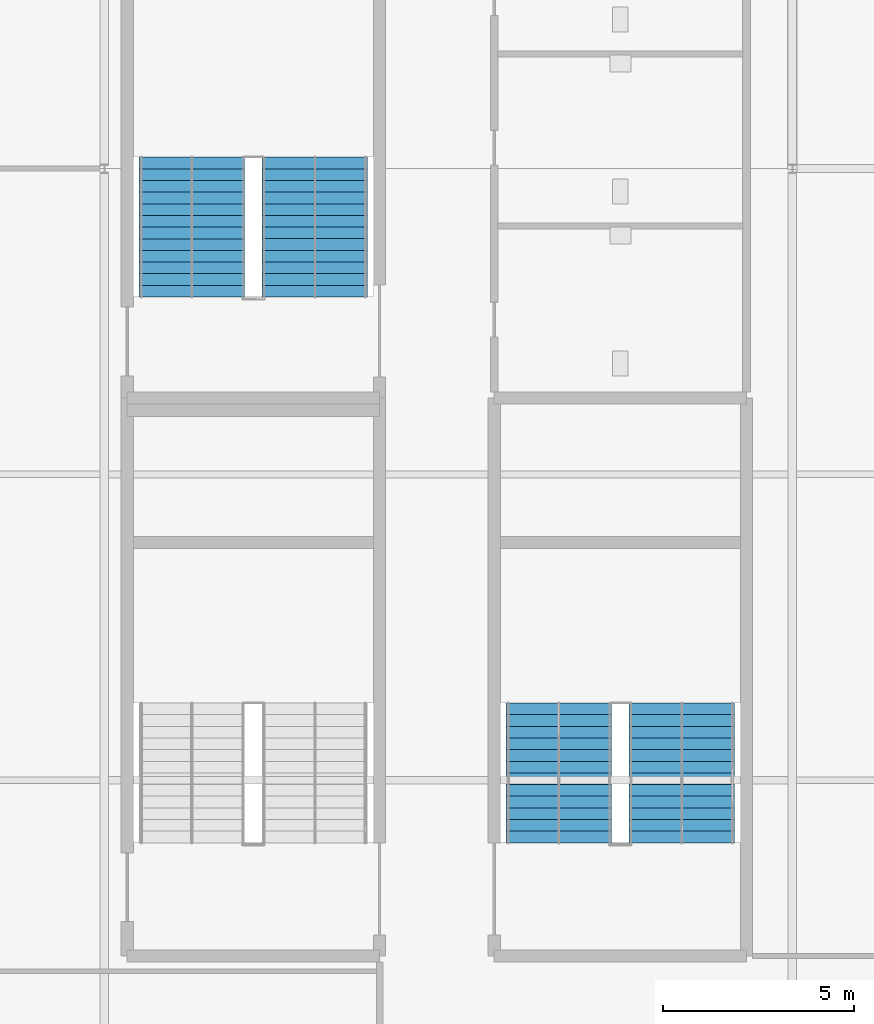
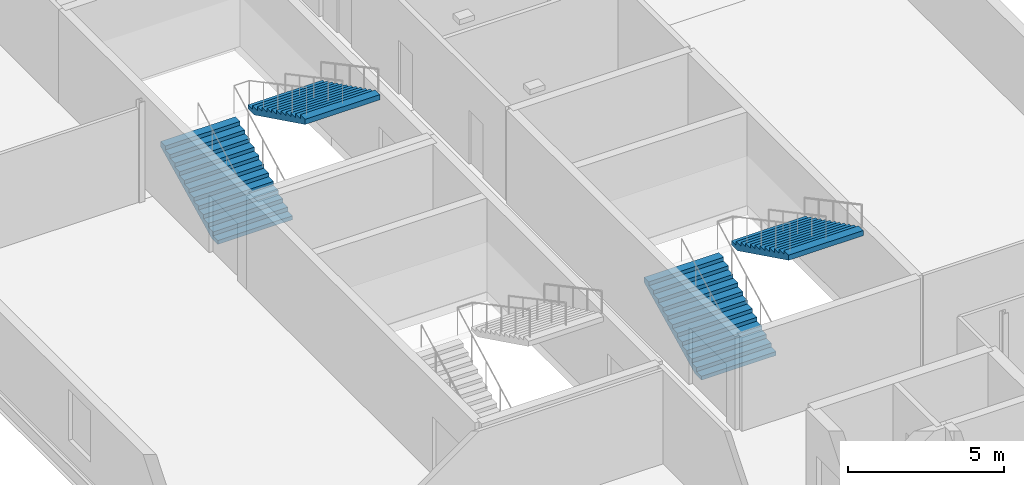
# One storey, part 29 of 35: 4 stair flights, 2 elements without a shape of their own.
"""IFC4 building model written with IfcOpenShell, lengths in metres."""

from ifc_helpers import new_model, si_unit, direction, frame, origin, place, context, subcontext, project, spatial, polygons, material, type_object, element, aggregate, save


model = new_model("IFC4")

# Units and contexts
model_context = context("Model", 3, precision=1e-05, world=origin(), true_north=direction((0.0, 1.0)))
body_context = subcontext(model_context, "Body", "Model", "MODEL_VIEW")
ifc_project = project(units=[si_unit("LENGTHUNIT", "METRE"), si_unit("AREAUNIT", "SQUARE_METRE"), si_unit("VOLUMEUNIT", "CUBIC_METRE"), si_unit("PLANEANGLEUNIT", "RADIAN"), si_unit("MASSUNIT", "GRAM", prefix="KILO")], contexts=[model_context])

# Site, building, storey
site_placement = place(None, origin())
site = spatial("IfcSite", under=ifc_project, at=site_placement, CompositionType="ELEMENT")
building_placement = place(site_placement, origin())
building = spatial("IfcBuilding", under=site, at=building_placement, Name="Kisiwana Market Hall", CompositionType="ELEMENT")
storey_placement = place(building_placement, frame((0.0, 0.0, 57.89990234375)))
storey = spatial("IfcBuildingStorey", under=building, at=storey_placement, Name="L13", CompositionType="ELEMENT", Elevation=57.89990234375)

# Stair, stair flights
ifc_material_1 = material(Name="Concrete C32/40", Category="concrete")
stair_type = type_object("IfcStairType", Name="ST-ESC-3900", PredefinedType="TWO_STRAIGHT_RUN_STAIR", material=ifc_material_1)
stair_1_placement = place(storey_placement, origin())
stair_1 = element("IfcStair", 1, at=stair_1_placement, inside=storey, type_object=stair_type, Name="Escape stair ST-E3-L13", PredefinedType="TWO_STRAIGHT_RUN_STAIR")
ifc_material_2 = material(Name="Concrete C32/40", Category="concrete")
stair_flight_type = type_object("IfcStairFlightType", Name="SF-ESC-3900", PredefinedType="STRAIGHT", material=ifc_material_2)
stair_flight_1_placement = place(storey_placement, frame((182.889892578125, 42.360107421875, 0.0), z_axis=(0.0, 0.0, 1.0), x_axis=(0.0, 1.0, 0.0)))
stair_flight_1 = element("IfcStairFlight", 2, at=stair_flight_1_placement, type_object=stair_flight_type, Name="ST-E3-L13 flight 1", NumberOfRisers=13, NumberOfTreads=12, PredefinedType="STRAIGHT", RiserHeight=0.15, TreadLength=0.305, context=body_context, shape_type="Tessellation", body=[
    polygons([(0.0, -1.380127, 0.0), (0.0, -0.690125, 0.0), (0.0, -0.000122, 0.0), (0.0, 0.68988, 0.0), (0.0, 1.379883, 0.0), (0.0, -1.380127, 0.149902), (0.0, -0.690125, 0.149902), (0.0, -0.000122, 0.149902), (0.0, 0.68988, 0.149902), (0.0, 1.379883, 0.149902), (0.304932, -1.380127, 0.149902), (0.304932, -0.690125, 0.149902), (0.304932, -0.000122, 0.149902), (0.304932, 0.68988, 0.149902), (0.304932, 1.379883, 0.149902), (0.304932, -1.380127, 0.300049), (0.304932, -0.690125, 0.300049), (0.304932, -0.000122, 0.300049), (0.304932, 0.68988, 0.300049), (0.304932, 1.379883, 0.300049), (0.610107, -1.380127, 0.300049), (0.610107, -0.690125, 0.300049), (0.610107, -0.000122, 0.300049), (0.610107, 0.68988, 0.300049), (0.610107, 1.379883, 0.300049), (0.610107, -1.380127, 0.449951), (0.610107, -0.690125, 0.449951), (0.610107, -0.000122, 0.449951), (0.610107, 0.68988, 0.449951), (0.610107, 1.379883, 0.449951), (0.915039, -1.380127, 0.449951), (0.915039, -0.690125, 0.449951), (0.915039, -0.000122, 0.449951), (0.915039, 0.68988, 0.449951), (0.915039, 1.379883, 0.449951), (0.915039, -1.380127, 0.600098), (0.915039, -0.690125, 0.600098), (0.915039, -0.000122, 0.600098), (0.915039, 0.68988, 0.600098), (0.915039, 1.379883, 0.600098), (1.219971, -1.380127, 0.600098), (1.219971, -0.690125, 0.600098), (1.219971, -0.000122, 0.600098), (1.219971, 0.68988, 0.600098), (1.219971, 1.379883, 0.600098), (1.219971, -1.380127, 0.75), (1.219971, -0.690125, 0.75), (1.219971, -0.000122, 0.75), (1.219971, 0.68988, 0.75), (1.219971, 1.379883, 0.75), (1.524902, -1.380127, 0.75), (1.524902, -0.690125, 0.75), (1.524902, -0.000122, 0.75), (1.524902, 0.68988, 0.75), (1.524902, 1.379883, 0.75), (1.524902, -1.380127, 0.899902), (1.524902, -0.690125, 0.899902), (1.524902, -0.000122, 0.899902), (1.524902, 0.68988, 0.899902), (1.524902, 1.379883, 0.899902), (1.830078, -1.380127, 0.899902), (1.830078, -0.690125, 0.899902), (1.830078, -0.000122, 0.899902), (1.830078, 0.68988, 0.899902), (1.830078, 1.379883, 0.899902), (1.830078, -1.380127, 1.050049), (1.830078, -0.690125, 1.050049), (1.830078, -0.000122, 1.050049), (1.830078, 0.68988, 1.050049), (1.830078, 1.379883, 1.050049), (2.13501, -1.380127, 1.050049), (2.13501, -0.690125, 1.050049), (2.13501, -0.000122, 1.050049), (2.13501, 0.68988, 1.050049), (2.13501, 1.379883, 1.050049), (2.13501, -1.380127, 1.199951), (2.13501, -0.690125, 1.199951), (2.13501, -0.000122, 1.199951), (2.13501, 0.68988, 1.199951), (2.13501, 1.379883, 1.199951), (2.439941, -1.380127, 1.199951), (2.439941, -0.690125, 1.199951), (2.439941, -0.000122, 1.199951), (2.439941, 0.68988, 1.199951), (2.439941, 1.379883, 1.199951), (2.439941, -1.380127, 1.350098), (2.439941, -0.690125, 1.350098), (2.439941, -0.000122, 1.350098), (2.439941, 0.68988, 1.350098), (2.439941, 1.379883, 1.350098), (2.745117, -1.380127, 1.350098), (2.745117, -0.690125, 1.350098), (2.745117, -0.000122, 1.350098), (2.745117, 0.68988, 1.350098), (2.745117, 1.379883, 1.350098), (2.745117, -1.380127, 1.5), (2.745117, -0.690125, 1.5), (2.745117, -0.000122, 1.5), (2.745117, 0.68988, 1.5), (2.745117, 1.379883, 1.5), (3.050049, -1.380127, 1.5), (3.050049, -0.690125, 1.5), (3.050049, -0.000122, 1.5), (3.050049, 0.68988, 1.5), (3.050049, 1.379883, 1.5), (3.050049, -1.380127, 1.649902), (3.050049, -0.690125, 1.649902), (3.050049, -0.000122, 1.649902), (3.050049, 0.68988, 1.649902), (3.050049, 1.379883, 1.649902), (3.35498, -1.380127, 1.649902), (3.35498, -0.690125, 1.649902), (3.35498, -0.000122, 1.649902), (3.35498, 0.68988, 1.649902), (3.35498, 1.379883, 1.649902), (3.35498, -1.380127, 1.800049), (3.35498, -0.690125, 1.800049), (3.35498, -0.000122, 1.800049), (3.35498, 0.68988, 1.800049), (3.35498, 1.379883, 1.800049), (3.659912, -1.380127, 1.800049), (3.659912, -0.690125, 1.800049), (3.659912, -0.000122, 1.800049), (3.659912, 0.68988, 1.800049), (3.659912, 1.379883, 1.800049), (3.659912, -1.380127, 1.599365), (3.659912, -0.690125, 1.599365), (3.659912, -0.000122, 1.599365), (3.659912, 0.68988, 1.599365), (3.659912, 1.379883, 1.599365), (0.407715, -1.380127, 0.0), (0.407715, -0.690125, 0.0), (0.407715, -0.000122, 0.0), (0.407715, 0.68988, 0.0), (0.407715, 1.379883, 0.0)], [[[1, 6, 7, 2]], [[2, 7, 8, 3]], [[3, 8, 9, 4]], [[4, 9, 10, 5]], [[6, 11, 12, 7]], [[7, 12, 13, 8]], [[8, 13, 14, 9]], [[9, 14, 15, 10]], [[11, 16, 17, 12]], [[12, 17, 18, 13]], [[13, 18, 19, 14]], [[14, 19, 20, 15]], [[16, 21, 22, 17]], [[17, 22, 23, 18]], [[18, 23, 24, 19]], [[19, 24, 25, 20]], [[21, 26, 27, 22]], [[22, 27, 28, 23]], [[23, 28, 29, 24]], [[24, 29, 30, 25]], [[26, 31, 32, 27]], [[27, 32, 33, 28]], [[28, 33, 34, 29]], [[29, 34, 35, 30]], [[31, 36, 37, 32]], [[32, 37, 38, 33]], [[33, 38, 39, 34]], [[34, 39, 40, 35]], [[36, 41, 42, 37]], [[37, 42, 43, 38]], [[38, 43, 44, 39]], [[39, 44, 45, 40]], [[41, 46, 47, 42]], [[42, 47, 48, 43]], [[43, 48, 49, 44]], [[44, 49, 50, 45]], [[46, 51, 52, 47]], [[47, 52, 53, 48]], [[48, 53, 54, 49]], [[49, 54, 55, 50]], [[51, 56, 57, 52]], [[52, 57, 58, 53]], [[53, 58, 59, 54]], [[54, 59, 60, 55]], [[56, 61, 62, 57]], [[57, 62, 63, 58]], [[58, 63, 64, 59]], [[59, 64, 65, 60]], [[61, 66, 67, 62]], [[62, 67, 68, 63]], [[63, 68, 69, 64]], [[64, 69, 70, 65]], [[66, 71, 72, 67]], [[67, 72, 73, 68]], [[68, 73, 74, 69]], [[69, 74, 75, 70]], [[71, 76, 77, 72]], [[72, 77, 78, 73]], [[73, 78, 79, 74]], [[74, 79, 80, 75]], [[76, 81, 82, 77]], [[77, 82, 83, 78]], [[78, 83, 84, 79]], [[79, 84, 85, 80]], [[81, 86, 87, 82]], [[82, 87, 88, 83]], [[83, 88, 89, 84]], [[84, 89, 90, 85]], [[86, 91, 92, 87]], [[87, 92, 93, 88]], [[88, 93, 94, 89]], [[89, 94, 95, 90]], [[91, 96, 97, 92]], [[92, 97, 98, 93]], [[93, 98, 99, 94]], [[94, 99, 100, 95]], [[96, 101, 102, 97]], [[97, 102, 103, 98]], [[98, 103, 104, 99]], [[99, 104, 105, 100]], [[101, 106, 107, 102]], [[102, 107, 108, 103]], [[103, 108, 109, 104]], [[104, 109, 110, 105]], [[106, 111, 112, 107]], [[107, 112, 113, 108]], [[108, 113, 114, 109]], [[109, 114, 115, 110]], [[111, 116, 117, 112]], [[112, 117, 118, 113]], [[113, 118, 119, 114]], [[114, 119, 120, 115]], [[116, 121, 122, 117]], [[117, 122, 123, 118]], [[118, 123, 124, 119]], [[119, 124, 125, 120]], [[121, 126, 127, 122]], [[122, 127, 128, 123]], [[123, 128, 129, 124]], [[124, 129, 130, 125]], [[126, 131, 132, 127]], [[127, 132, 133, 128]], [[128, 133, 134, 129]], [[129, 134, 135, 130]], [[131, 1, 2, 132]], [[132, 2, 3, 133]], [[133, 3, 4, 134]], [[134, 4, 5, 135]], [[131, 126, 121, 116, 111, 106, 101, 96, 91, 86, 81, 76, 71, 66, 61, 56, 51, 46, 41, 36, 31, 26, 21, 16, 11, 6, 1]], [[5, 10, 15, 20, 25, 30, 35, 40, 45, 50, 55, 60, 65, 70, 75, 80, 85, 90, 95, 100, 105, 110, 115, 120, 125, 130, 135]]], closed=True),
])
stair_flight_2_placement = place(storey_placement, frame((186.110107421875, 46.02001953125, 1.9501953125), z_axis=(0.0, 0.0, 1.0), x_axis=(0.0, -1.0, 0.0)))
stair_flight_2 = element("IfcStairFlight", 3, at=stair_flight_2_placement, type_object=stair_flight_type, Name="ST-E3-L13 flight 2", NumberOfRisers=13, NumberOfTreads=12, PredefinedType="STRAIGHT", RiserHeight=0.15, TreadLength=0.305, context=body_context, shape_type="Tessellation", body=[
    polygons([(0.0, -1.380127, 0.0), (0.0, -0.690125, 0.0), (0.0, -0.000122, 0.0), (0.0, 0.68988, 0.0), (0.0, 1.379883, 0.0), (0.0, -1.380127, 0.149902), (0.0, -0.690125, 0.149902), (0.0, -0.000122, 0.149902), (0.0, 0.68988, 0.149902), (0.0, 1.379883, 0.149902), (0.304932, -1.380127, 0.149902), (0.304932, -0.690125, 0.149902), (0.304932, -0.000122, 0.149902), (0.304932, 0.68988, 0.149902), (0.304932, 1.379883, 0.149902), (0.304932, -1.380127, 0.300049), (0.304932, -0.690125, 0.300049), (0.304932, -0.000122, 0.300049), (0.304932, 0.68988, 0.300049), (0.304932, 1.379883, 0.300049), (0.610107, -1.380127, 0.300049), (0.610107, -0.690125, 0.300049), (0.610107, -0.000122, 0.300049), (0.610107, 0.68988, 0.300049), (0.610107, 1.379883, 0.300049), (0.610107, -1.380127, 0.449951), (0.610107, -0.690125, 0.449951), (0.610107, -0.000122, 0.449951), (0.610107, 0.68988, 0.449951), (0.610107, 1.379883, 0.449951), (0.915039, -1.380127, 0.449951), (0.915039, -0.690125, 0.449951), (0.915039, -0.000122, 0.449951), (0.915039, 0.68988, 0.449951), (0.915039, 1.379883, 0.449951), (0.915039, -1.380127, 0.600098), (0.915039, -0.690125, 0.600098), (0.915039, -0.000122, 0.600098), (0.915039, 0.68988, 0.600098), (0.915039, 1.379883, 0.600098), (1.219971, -1.380127, 0.600098), (1.219971, -0.690125, 0.600098), (1.219971, -0.000122, 0.600098), (1.219971, 0.68988, 0.600098), (1.219971, 1.379883, 0.600098), (1.219971, -1.380127, 0.75), (1.219971, -0.690125, 0.75), (1.219971, -0.000122, 0.75), (1.219971, 0.68988, 0.75), (1.219971, 1.379883, 0.75), (1.524902, -1.380127, 0.75), (1.524902, -0.690125, 0.75), (1.524902, -0.000122, 0.75), (1.524902, 0.68988, 0.75), (1.524902, 1.379883, 0.75), (1.524902, -1.380127, 0.899902), (1.524902, -0.690125, 0.899902), (1.524902, -0.000122, 0.899902), (1.524902, 0.68988, 0.899902), (1.524902, 1.379883, 0.899902), (1.830078, -1.380127, 0.899902), (1.830078, -0.690125, 0.899902), (1.830078, -0.000122, 0.899902), (1.830078, 0.68988, 0.899902), (1.830078, 1.379883, 0.899902), (1.830078, -1.380127, 1.050049), (1.830078, -0.690125, 1.050049), (1.830078, -0.000122, 1.050049), (1.830078, 0.68988, 1.050049), (1.830078, 1.379883, 1.050049), (2.13501, -1.380127, 1.050049), (2.13501, -0.690125, 1.050049), (2.13501, -0.000122, 1.050049), (2.13501, 0.68988, 1.050049), (2.13501, 1.379883, 1.050049), (2.13501, -1.380127, 1.199951), (2.13501, -0.690125, 1.199951), (2.13501, -0.000122, 1.199951), (2.13501, 0.68988, 1.199951), (2.13501, 1.379883, 1.199951), (2.439941, -1.380127, 1.199951), (2.439941, -0.690125, 1.199951), (2.439941, -0.000122, 1.199951), (2.439941, 0.68988, 1.199951), (2.439941, 1.379883, 1.199951), (2.439941, -1.380127, 1.350098), (2.439941, -0.690125, 1.350098), (2.439941, -0.000122, 1.350098), (2.439941, 0.68988, 1.350098), (2.439941, 1.379883, 1.350098), (2.745117, -1.380127, 1.350098), (2.745117, -0.690125, 1.350098), (2.745117, -0.000122, 1.350098), (2.745117, 0.68988, 1.350098), (2.745117, 1.379883, 1.350098), (2.745117, -1.380127, 1.5), (2.745117, -0.690125, 1.5), (2.745117, -0.000122, 1.5), (2.745117, 0.68988, 1.5), (2.745117, 1.379883, 1.5), (3.050049, -1.380127, 1.5), (3.050049, -0.690125, 1.5), (3.050049, -0.000122, 1.5), (3.050049, 0.68988, 1.5), (3.050049, 1.379883, 1.5), (3.050049, -1.380127, 1.649902), (3.050049, -0.690125, 1.649902), (3.050049, -0.000122, 1.649902), (3.050049, 0.68988, 1.649902), (3.050049, 1.379883, 1.649902), (3.35498, -1.380127, 1.649902), (3.35498, -0.690125, 1.649902), (3.35498, -0.000122, 1.649902), (3.35498, 0.68988, 1.649902), (3.35498, 1.379883, 1.649902), (3.35498, -1.380127, 1.800049), (3.35498, -0.690125, 1.800049), (3.35498, -0.000122, 1.800049), (3.35498, 0.68988, 1.800049), (3.35498, 1.379883, 1.800049), (3.659912, -1.380127, 1.800049), (3.659912, -0.690125, 1.800049), (3.659912, -0.000122, 1.800049), (3.659912, 0.68988, 1.800049), (3.659912, 1.379883, 1.800049), (3.659912, -1.380127, 1.599365), (3.659912, -0.690125, 1.599365), (3.659912, -0.000122, 1.599365), (3.659912, 0.68988, 1.599365), (3.659912, 1.379883, 1.599365), (0.407715, -1.380127, 0.0), (0.407715, -0.690125, 0.0), (0.407715, -0.000122, 0.0), (0.407715, 0.68988, 0.0), (0.407715, 1.379883, 0.0)], [[[1, 6, 7, 2]], [[2, 7, 8, 3]], [[3, 8, 9, 4]], [[4, 9, 10, 5]], [[6, 11, 12, 7]], [[7, 12, 13, 8]], [[8, 13, 14, 9]], [[9, 14, 15, 10]], [[11, 16, 17, 12]], [[12, 17, 18, 13]], [[13, 18, 19, 14]], [[14, 19, 20, 15]], [[16, 21, 22, 17]], [[17, 22, 23, 18]], [[18, 23, 24, 19]], [[19, 24, 25, 20]], [[21, 26, 27, 22]], [[22, 27, 28, 23]], [[23, 28, 29, 24]], [[24, 29, 30, 25]], [[26, 31, 32, 27]], [[27, 32, 33, 28]], [[28, 33, 34, 29]], [[29, 34, 35, 30]], [[31, 36, 37, 32]], [[32, 37, 38, 33]], [[33, 38, 39, 34]], [[34, 39, 40, 35]], [[36, 41, 42, 37]], [[37, 42, 43, 38]], [[38, 43, 44, 39]], [[39, 44, 45, 40]], [[41, 46, 47, 42]], [[42, 47, 48, 43]], [[43, 48, 49, 44]], [[44, 49, 50, 45]], [[46, 51, 52, 47]], [[47, 52, 53, 48]], [[48, 53, 54, 49]], [[49, 54, 55, 50]], [[51, 56, 57, 52]], [[52, 57, 58, 53]], [[53, 58, 59, 54]], [[54, 59, 60, 55]], [[56, 61, 62, 57]], [[57, 62, 63, 58]], [[58, 63, 64, 59]], [[59, 64, 65, 60]], [[61, 66, 67, 62]], [[62, 67, 68, 63]], [[63, 68, 69, 64]], [[64, 69, 70, 65]], [[66, 71, 72, 67]], [[67, 72, 73, 68]], [[68, 73, 74, 69]], [[69, 74, 75, 70]], [[71, 76, 77, 72]], [[72, 77, 78, 73]], [[73, 78, 79, 74]], [[74, 79, 80, 75]], [[76, 81, 82, 77]], [[77, 82, 83, 78]], [[78, 83, 84, 79]], [[79, 84, 85, 80]], [[81, 86, 87, 82]], [[82, 87, 88, 83]], [[83, 88, 89, 84]], [[84, 89, 90, 85]], [[86, 91, 92, 87]], [[87, 92, 93, 88]], [[88, 93, 94, 89]], [[89, 94, 95, 90]], [[91, 96, 97, 92]], [[92, 97, 98, 93]], [[93, 98, 99, 94]], [[94, 99, 100, 95]], [[96, 101, 102, 97]], [[97, 102, 103, 98]], [[98, 103, 104, 99]], [[99, 104, 105, 100]], [[101, 106, 107, 102]], [[102, 107, 108, 103]], [[103, 108, 109, 104]], [[104, 109, 110, 105]], [[106, 111, 112, 107]], [[107, 112, 113, 108]], [[108, 113, 114, 109]], [[109, 114, 115, 110]], [[111, 116, 117, 112]], [[112, 117, 118, 113]], [[113, 118, 119, 114]], [[114, 119, 120, 115]], [[116, 121, 122, 117]], [[117, 122, 123, 118]], [[118, 123, 124, 119]], [[119, 124, 125, 120]], [[121, 126, 127, 122]], [[122, 127, 128, 123]], [[123, 128, 129, 124]], [[124, 129, 130, 125]], [[126, 131, 132, 127]], [[127, 132, 133, 128]], [[128, 133, 134, 129]], [[129, 134, 135, 130]], [[131, 1, 2, 132]], [[132, 2, 3, 133]], [[133, 3, 4, 134]], [[134, 4, 5, 135]], [[131, 126, 121, 116, 111, 106, 101, 96, 91, 86, 81, 76, 71, 66, 61, 56, 51, 46, 41, 36, 31, 26, 21, 16, 11, 6, 1]], [[5, 10, 15, 20, 25, 30, 35, 40, 45, 50, 55, 60, 65, 70, 75, 80, 85, 90, 95, 100, 105, 110, 115, 120, 125, 130, 135]]], closed=True),
])
aggregate(stair_1, [stair_flight_1, stair_flight_2])

stair_2_placement = place(storey_placement, origin())
stair_2 = element("IfcStair", 4, at=stair_2_placement, inside=storey, type_object=stair_type, Name="Escape stair ST-E5-L13", PredefinedType="TWO_STRAIGHT_RUN_STAIR")
stair_flight_3_placement = place(storey_placement, frame((173.2900390625, 56.639892578125, 0.0), z_axis=(0.0, 0.0, 1.0), x_axis=(0.0, 1.0, 0.0)))
stair_flight_3 = element("IfcStairFlight", 5, at=stair_flight_3_placement, type_object=stair_flight_type, Name="ST-E5-L13 flight 1", NumberOfRisers=13, NumberOfTreads=12, PredefinedType="STRAIGHT", RiserHeight=0.15, TreadLength=0.305, context=body_context, shape_type="Tessellation", body=[
    polygons([(0.0, -1.380127, 0.0), (0.0, -0.690125, 0.0), (0.0, -0.000122, 0.0), (0.0, 0.68988, 0.0), (0.0, 1.379883, 0.0), (0.0, -1.380127, 0.149902), (0.0, -0.690125, 0.149902), (0.0, -0.000122, 0.149902), (0.0, 0.68988, 0.149902), (0.0, 1.379883, 0.149902), (0.304932, -1.380127, 0.149902), (0.304932, -0.690125, 0.149902), (0.304932, -0.000122, 0.149902), (0.304932, 0.68988, 0.149902), (0.304932, 1.379883, 0.149902), (0.304932, -1.380127, 0.300049), (0.304932, -0.690125, 0.300049), (0.304932, -0.000122, 0.300049), (0.304932, 0.68988, 0.300049), (0.304932, 1.379883, 0.300049), (0.610107, -1.380127, 0.300049), (0.610107, -0.690125, 0.300049), (0.610107, -0.000122, 0.300049), (0.610107, 0.68988, 0.300049), (0.610107, 1.379883, 0.300049), (0.610107, -1.380127, 0.449951), (0.610107, -0.690125, 0.449951), (0.610107, -0.000122, 0.449951), (0.610107, 0.68988, 0.449951), (0.610107, 1.379883, 0.449951), (0.915039, -1.380127, 0.449951), (0.915039, -0.690125, 0.449951), (0.915039, -0.000122, 0.449951), (0.915039, 0.68988, 0.449951), (0.915039, 1.379883, 0.449951), (0.915039, -1.380127, 0.600098), (0.915039, -0.690125, 0.600098), (0.915039, -0.000122, 0.600098), (0.915039, 0.68988, 0.600098), (0.915039, 1.379883, 0.600098), (1.219971, -1.380127, 0.600098), (1.219971, -0.690125, 0.600098), (1.219971, -0.000122, 0.600098), (1.219971, 0.68988, 0.600098), (1.219971, 1.379883, 0.600098), (1.219971, -1.380127, 0.75), (1.219971, -0.690125, 0.75), (1.219971, -0.000122, 0.75), (1.219971, 0.68988, 0.75), (1.219971, 1.379883, 0.75), (1.524902, -1.380127, 0.75), (1.524902, -0.690125, 0.75), (1.524902, -0.000122, 0.75), (1.524902, 0.68988, 0.75), (1.524902, 1.379883, 0.75), (1.524902, -1.380127, 0.899902), (1.524902, -0.690125, 0.899902), (1.524902, -0.000122, 0.899902), (1.524902, 0.68988, 0.899902), (1.524902, 1.379883, 0.899902), (1.830078, -1.380127, 0.899902), (1.830078, -0.690125, 0.899902), (1.830078, -0.000122, 0.899902), (1.830078, 0.68988, 0.899902), (1.830078, 1.379883, 0.899902), (1.830078, -1.380127, 1.050049), (1.830078, -0.690125, 1.050049), (1.830078, -0.000122, 1.050049), (1.830078, 0.68988, 1.050049), (1.830078, 1.379883, 1.050049), (2.13501, -1.380127, 1.050049), (2.13501, -0.690125, 1.050049), (2.13501, -0.000122, 1.050049), (2.13501, 0.68988, 1.050049), (2.13501, 1.379883, 1.050049), (2.13501, -1.380127, 1.199951), (2.13501, -0.690125, 1.199951), (2.13501, -0.000122, 1.199951), (2.13501, 0.68988, 1.199951), (2.13501, 1.379883, 1.199951), (2.439941, -1.380127, 1.199951), (2.439941, -0.690125, 1.199951), (2.439941, -0.000122, 1.199951), (2.439941, 0.68988, 1.199951), (2.439941, 1.379883, 1.199951), (2.439941, -1.380127, 1.350098), (2.439941, -0.690125, 1.350098), (2.439941, -0.000122, 1.350098), (2.439941, 0.68988, 1.350098), (2.439941, 1.379883, 1.350098), (2.745117, -1.380127, 1.350098), (2.745117, -0.690125, 1.350098), (2.745117, -0.000122, 1.350098), (2.745117, 0.68988, 1.350098), (2.745117, 1.379883, 1.350098), (2.745117, -1.380127, 1.5), (2.745117, -0.690125, 1.5), (2.745117, -0.000122, 1.5), (2.745117, 0.68988, 1.5), (2.745117, 1.379883, 1.5), (3.050049, -1.380127, 1.5), (3.050049, -0.690125, 1.5), (3.050049, -0.000122, 1.5), (3.050049, 0.68988, 1.5), (3.050049, 1.379883, 1.5), (3.050049, -1.380127, 1.649902), (3.050049, -0.690125, 1.649902), (3.050049, -0.000122, 1.649902), (3.050049, 0.68988, 1.649902), (3.050049, 1.379883, 1.649902), (3.35498, -1.380127, 1.649902), (3.35498, -0.690125, 1.649902), (3.35498, -0.000122, 1.649902), (3.35498, 0.68988, 1.649902), (3.35498, 1.379883, 1.649902), (3.35498, -1.380127, 1.800049), (3.35498, -0.690125, 1.800049), (3.35498, -0.000122, 1.800049), (3.35498, 0.68988, 1.800049), (3.35498, 1.379883, 1.800049), (3.659912, -1.380127, 1.800049), (3.659912, -0.690125, 1.800049), (3.659912, -0.000122, 1.800049), (3.659912, 0.68988, 1.800049), (3.659912, 1.379883, 1.800049), (3.659912, -1.380127, 1.599365), (3.659912, -0.690125, 1.599365), (3.659912, -0.000122, 1.599365), (3.659912, 0.68988, 1.599365), (3.659912, 1.379883, 1.599365), (0.407715, -1.380127, 0.0), (0.407715, -0.690125, 0.0), (0.407715, -0.000122, 0.0), (0.407715, 0.68988, 0.0), (0.407715, 1.379883, 0.0)], [[[1, 6, 7, 2]], [[2, 7, 8, 3]], [[3, 8, 9, 4]], [[4, 9, 10, 5]], [[6, 11, 12, 7]], [[7, 12, 13, 8]], [[8, 13, 14, 9]], [[9, 14, 15, 10]], [[11, 16, 17, 12]], [[12, 17, 18, 13]], [[13, 18, 19, 14]], [[14, 19, 20, 15]], [[16, 21, 22, 17]], [[17, 22, 23, 18]], [[18, 23, 24, 19]], [[19, 24, 25, 20]], [[21, 26, 27, 22]], [[22, 27, 28, 23]], [[23, 28, 29, 24]], [[24, 29, 30, 25]], [[26, 31, 32, 27]], [[27, 32, 33, 28]], [[28, 33, 34, 29]], [[29, 34, 35, 30]], [[31, 36, 37, 32]], [[32, 37, 38, 33]], [[33, 38, 39, 34]], [[34, 39, 40, 35]], [[36, 41, 42, 37]], [[37, 42, 43, 38]], [[38, 43, 44, 39]], [[39, 44, 45, 40]], [[41, 46, 47, 42]], [[42, 47, 48, 43]], [[43, 48, 49, 44]], [[44, 49, 50, 45]], [[46, 51, 52, 47]], [[47, 52, 53, 48]], [[48, 53, 54, 49]], [[49, 54, 55, 50]], [[51, 56, 57, 52]], [[52, 57, 58, 53]], [[53, 58, 59, 54]], [[54, 59, 60, 55]], [[56, 61, 62, 57]], [[57, 62, 63, 58]], [[58, 63, 64, 59]], [[59, 64, 65, 60]], [[61, 66, 67, 62]], [[62, 67, 68, 63]], [[63, 68, 69, 64]], [[64, 69, 70, 65]], [[66, 71, 72, 67]], [[67, 72, 73, 68]], [[68, 73, 74, 69]], [[69, 74, 75, 70]], [[71, 76, 77, 72]], [[72, 77, 78, 73]], [[73, 78, 79, 74]], [[74, 79, 80, 75]], [[76, 81, 82, 77]], [[77, 82, 83, 78]], [[78, 83, 84, 79]], [[79, 84, 85, 80]], [[81, 86, 87, 82]], [[82, 87, 88, 83]], [[83, 88, 89, 84]], [[84, 89, 90, 85]], [[86, 91, 92, 87]], [[87, 92, 93, 88]], [[88, 93, 94, 89]], [[89, 94, 95, 90]], [[91, 96, 97, 92]], [[92, 97, 98, 93]], [[93, 98, 99, 94]], [[94, 99, 100, 95]], [[96, 101, 102, 97]], [[97, 102, 103, 98]], [[98, 103, 104, 99]], [[99, 104, 105, 100]], [[101, 106, 107, 102]], [[102, 107, 108, 103]], [[103, 108, 109, 104]], [[104, 109, 110, 105]], [[106, 111, 112, 107]], [[107, 112, 113, 108]], [[108, 113, 114, 109]], [[109, 114, 115, 110]], [[111, 116, 117, 112]], [[112, 117, 118, 113]], [[113, 118, 119, 114]], [[114, 119, 120, 115]], [[116, 121, 122, 117]], [[117, 122, 123, 118]], [[118, 123, 124, 119]], [[119, 124, 125, 120]], [[121, 126, 127, 122]], [[122, 127, 128, 123]], [[123, 128, 129, 124]], [[124, 129, 130, 125]], [[126, 131, 132, 127]], [[127, 132, 133, 128]], [[128, 133, 134, 129]], [[129, 134, 135, 130]], [[131, 1, 2, 132]], [[132, 2, 3, 133]], [[133, 3, 4, 134]], [[134, 4, 5, 135]], [[131, 126, 121, 116, 111, 106, 101, 96, 91, 86, 81, 76, 71, 66, 61, 56, 51, 46, 41, 36, 31, 26, 21, 16, 11, 6, 1]], [[5, 10, 15, 20, 25, 30, 35, 40, 45, 50, 55, 60, 65, 70, 75, 80, 85, 90, 95, 100, 105, 110, 115, 120, 125, 130, 135]]], closed=True),
])
stair_flight_4_placement = place(storey_placement, frame((176.510009765625, 60.300048828125, 1.9501953125), z_axis=(0.0, 0.0, 1.0), x_axis=(0.0, -1.0, 0.0)))
stair_flight_4 = element("IfcStairFlight", 6, at=stair_flight_4_placement, type_object=stair_flight_type, Name="ST-E5-L13 flight 2", NumberOfRisers=13, NumberOfTreads=12, PredefinedType="STRAIGHT", RiserHeight=0.15, TreadLength=0.305, context=body_context, shape_type="Tessellation", body=[
    polygons([(0.0, -1.380127, 0.0), (0.0, -0.690125, 0.0), (0.0, -0.000122, 0.0), (0.0, 0.68988, 0.0), (0.0, 1.379883, 0.0), (0.0, -1.380127, 0.149902), (0.0, -0.690125, 0.149902), (0.0, -0.000122, 0.149902), (0.0, 0.68988, 0.149902), (0.0, 1.379883, 0.149902), (0.304932, -1.380127, 0.149902), (0.304932, -0.690125, 0.149902), (0.304932, -0.000122, 0.149902), (0.304932, 0.68988, 0.149902), (0.304932, 1.379883, 0.149902), (0.304932, -1.380127, 0.300049), (0.304932, -0.690125, 0.300049), (0.304932, -0.000122, 0.300049), (0.304932, 0.68988, 0.300049), (0.304932, 1.379883, 0.300049), (0.610107, -1.380127, 0.300049), (0.610107, -0.690125, 0.300049), (0.610107, -0.000122, 0.300049), (0.610107, 0.68988, 0.300049), (0.610107, 1.379883, 0.300049), (0.610107, -1.380127, 0.449951), (0.610107, -0.690125, 0.449951), (0.610107, -0.000122, 0.449951), (0.610107, 0.68988, 0.449951), (0.610107, 1.379883, 0.449951), (0.915039, -1.380127, 0.449951), (0.915039, -0.690125, 0.449951), (0.915039, -0.000122, 0.449951), (0.915039, 0.68988, 0.449951), (0.915039, 1.379883, 0.449951), (0.915039, -1.380127, 0.600098), (0.915039, -0.690125, 0.600098), (0.915039, -0.000122, 0.600098), (0.915039, 0.68988, 0.600098), (0.915039, 1.379883, 0.600098), (1.219971, -1.380127, 0.600098), (1.219971, -0.690125, 0.600098), (1.219971, -0.000122, 0.600098), (1.219971, 0.68988, 0.600098), (1.219971, 1.379883, 0.600098), (1.219971, -1.380127, 0.75), (1.219971, -0.690125, 0.75), (1.219971, -0.000122, 0.75), (1.219971, 0.68988, 0.75), (1.219971, 1.379883, 0.75), (1.524902, -1.380127, 0.75), (1.524902, -0.690125, 0.75), (1.524902, -0.000122, 0.75), (1.524902, 0.68988, 0.75), (1.524902, 1.379883, 0.75), (1.524902, -1.380127, 0.899902), (1.524902, -0.690125, 0.899902), (1.524902, -0.000122, 0.899902), (1.524902, 0.68988, 0.899902), (1.524902, 1.379883, 0.899902), (1.830078, -1.380127, 0.899902), (1.830078, -0.690125, 0.899902), (1.830078, -0.000122, 0.899902), (1.830078, 0.68988, 0.899902), (1.830078, 1.379883, 0.899902), (1.830078, -1.380127, 1.050049), (1.830078, -0.690125, 1.050049), (1.830078, -0.000122, 1.050049), (1.830078, 0.68988, 1.050049), (1.830078, 1.379883, 1.050049), (2.13501, -1.380127, 1.050049), (2.13501, -0.690125, 1.050049), (2.13501, -0.000122, 1.050049), (2.13501, 0.68988, 1.050049), (2.13501, 1.379883, 1.050049), (2.13501, -1.380127, 1.199951), (2.13501, -0.690125, 1.199951), (2.13501, -0.000122, 1.199951), (2.13501, 0.68988, 1.199951), (2.13501, 1.379883, 1.199951), (2.439941, -1.380127, 1.199951), (2.439941, -0.690125, 1.199951), (2.439941, -0.000122, 1.199951), (2.439941, 0.68988, 1.199951), (2.439941, 1.379883, 1.199951), (2.439941, -1.380127, 1.350098), (2.439941, -0.690125, 1.350098), (2.439941, -0.000122, 1.350098), (2.439941, 0.68988, 1.350098), (2.439941, 1.379883, 1.350098), (2.745117, -1.380127, 1.350098), (2.745117, -0.690125, 1.350098), (2.745117, -0.000122, 1.350098), (2.745117, 0.68988, 1.350098), (2.745117, 1.379883, 1.350098), (2.745117, -1.380127, 1.5), (2.745117, -0.690125, 1.5), (2.745117, -0.000122, 1.5), (2.745117, 0.68988, 1.5), (2.745117, 1.379883, 1.5), (3.050049, -1.380127, 1.5), (3.050049, -0.690125, 1.5), (3.050049, -0.000122, 1.5), (3.050049, 0.68988, 1.5), (3.050049, 1.379883, 1.5), (3.050049, -1.380127, 1.649902), (3.050049, -0.690125, 1.649902), (3.050049, -0.000122, 1.649902), (3.050049, 0.68988, 1.649902), (3.050049, 1.379883, 1.649902), (3.35498, -1.380127, 1.649902), (3.35498, -0.690125, 1.649902), (3.35498, -0.000122, 1.649902), (3.35498, 0.68988, 1.649902), (3.35498, 1.379883, 1.649902), (3.35498, -1.380127, 1.800049), (3.35498, -0.690125, 1.800049), (3.35498, -0.000122, 1.800049), (3.35498, 0.68988, 1.800049), (3.35498, 1.379883, 1.800049), (3.659912, -1.380127, 1.800049), (3.659912, -0.690125, 1.800049), (3.659912, -0.000122, 1.800049), (3.659912, 0.68988, 1.800049), (3.659912, 1.379883, 1.800049), (3.659912, -1.380127, 1.599365), (3.659912, -0.690125, 1.599365), (3.659912, -0.000122, 1.599365), (3.659912, 0.68988, 1.599365), (3.659912, 1.379883, 1.599365), (0.407715, -1.380127, 0.0), (0.407715, -0.690125, 0.0), (0.407715, -0.000122, 0.0), (0.407715, 0.68988, 0.0), (0.407715, 1.379883, 0.0)], [[[1, 6, 7, 2]], [[2, 7, 8, 3]], [[3, 8, 9, 4]], [[4, 9, 10, 5]], [[6, 11, 12, 7]], [[7, 12, 13, 8]], [[8, 13, 14, 9]], [[9, 14, 15, 10]], [[11, 16, 17, 12]], [[12, 17, 18, 13]], [[13, 18, 19, 14]], [[14, 19, 20, 15]], [[16, 21, 22, 17]], [[17, 22, 23, 18]], [[18, 23, 24, 19]], [[19, 24, 25, 20]], [[21, 26, 27, 22]], [[22, 27, 28, 23]], [[23, 28, 29, 24]], [[24, 29, 30, 25]], [[26, 31, 32, 27]], [[27, 32, 33, 28]], [[28, 33, 34, 29]], [[29, 34, 35, 30]], [[31, 36, 37, 32]], [[32, 37, 38, 33]], [[33, 38, 39, 34]], [[34, 39, 40, 35]], [[36, 41, 42, 37]], [[37, 42, 43, 38]], [[38, 43, 44, 39]], [[39, 44, 45, 40]], [[41, 46, 47, 42]], [[42, 47, 48, 43]], [[43, 48, 49, 44]], [[44, 49, 50, 45]], [[46, 51, 52, 47]], [[47, 52, 53, 48]], [[48, 53, 54, 49]], [[49, 54, 55, 50]], [[51, 56, 57, 52]], [[52, 57, 58, 53]], [[53, 58, 59, 54]], [[54, 59, 60, 55]], [[56, 61, 62, 57]], [[57, 62, 63, 58]], [[58, 63, 64, 59]], [[59, 64, 65, 60]], [[61, 66, 67, 62]], [[62, 67, 68, 63]], [[63, 68, 69, 64]], [[64, 69, 70, 65]], [[66, 71, 72, 67]], [[67, 72, 73, 68]], [[68, 73, 74, 69]], [[69, 74, 75, 70]], [[71, 76, 77, 72]], [[72, 77, 78, 73]], [[73, 78, 79, 74]], [[74, 79, 80, 75]], [[76, 81, 82, 77]], [[77, 82, 83, 78]], [[78, 83, 84, 79]], [[79, 84, 85, 80]], [[81, 86, 87, 82]], [[82, 87, 88, 83]], [[83, 88, 89, 84]], [[84, 89, 90, 85]], [[86, 91, 92, 87]], [[87, 92, 93, 88]], [[88, 93, 94, 89]], [[89, 94, 95, 90]], [[91, 96, 97, 92]], [[92, 97, 98, 93]], [[93, 98, 99, 94]], [[94, 99, 100, 95]], [[96, 101, 102, 97]], [[97, 102, 103, 98]], [[98, 103, 104, 99]], [[99, 104, 105, 100]], [[101, 106, 107, 102]], [[102, 107, 108, 103]], [[103, 108, 109, 104]], [[104, 109, 110, 105]], [[106, 111, 112, 107]], [[107, 112, 113, 108]], [[108, 113, 114, 109]], [[109, 114, 115, 110]], [[111, 116, 117, 112]], [[112, 117, 118, 113]], [[113, 118, 119, 114]], [[114, 119, 120, 115]], [[116, 121, 122, 117]], [[117, 122, 123, 118]], [[118, 123, 124, 119]], [[119, 124, 125, 120]], [[121, 126, 127, 122]], [[122, 127, 128, 123]], [[123, 128, 129, 124]], [[124, 129, 130, 125]], [[126, 131, 132, 127]], [[127, 132, 133, 128]], [[128, 133, 134, 129]], [[129, 134, 135, 130]], [[131, 1, 2, 132]], [[132, 2, 3, 133]], [[133, 3, 4, 134]], [[134, 4, 5, 135]], [[131, 126, 121, 116, 111, 106, 101, 96, 91, 86, 81, 76, 71, 66, 61, 56, 51, 46, 41, 36, 31, 26, 21, 16, 11, 6, 1]], [[5, 10, 15, 20, 25, 30, 35, 40, 45, 50, 55, 60, 65, 70, 75, 80, 85, 90, 95, 100, 105, 110, 115, 120, 125, 130, 135]]], closed=True),
])
aggregate(stair_2, [stair_flight_3, stair_flight_4])

save(model, "model.ifc")
